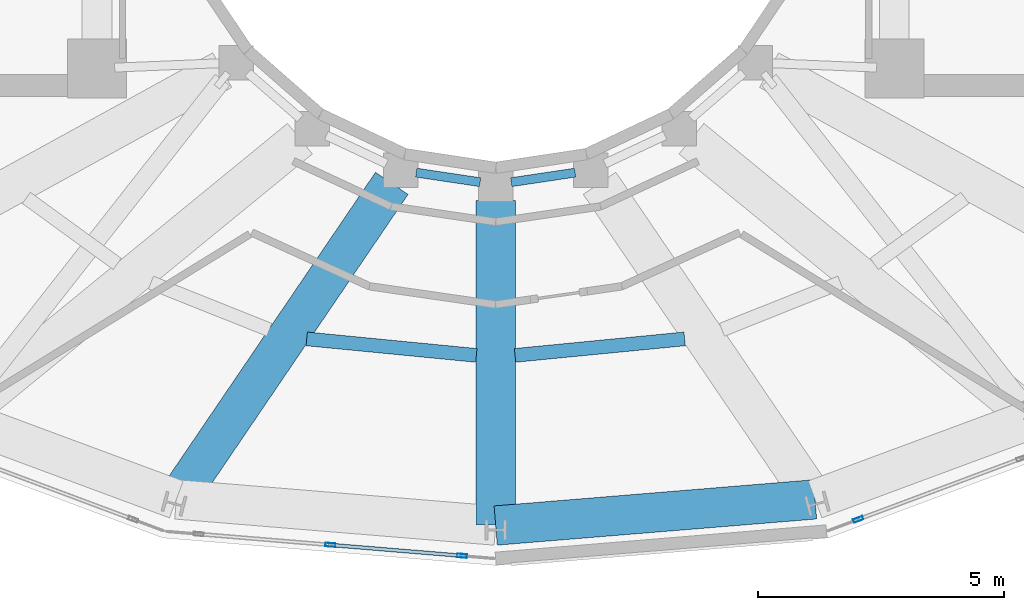
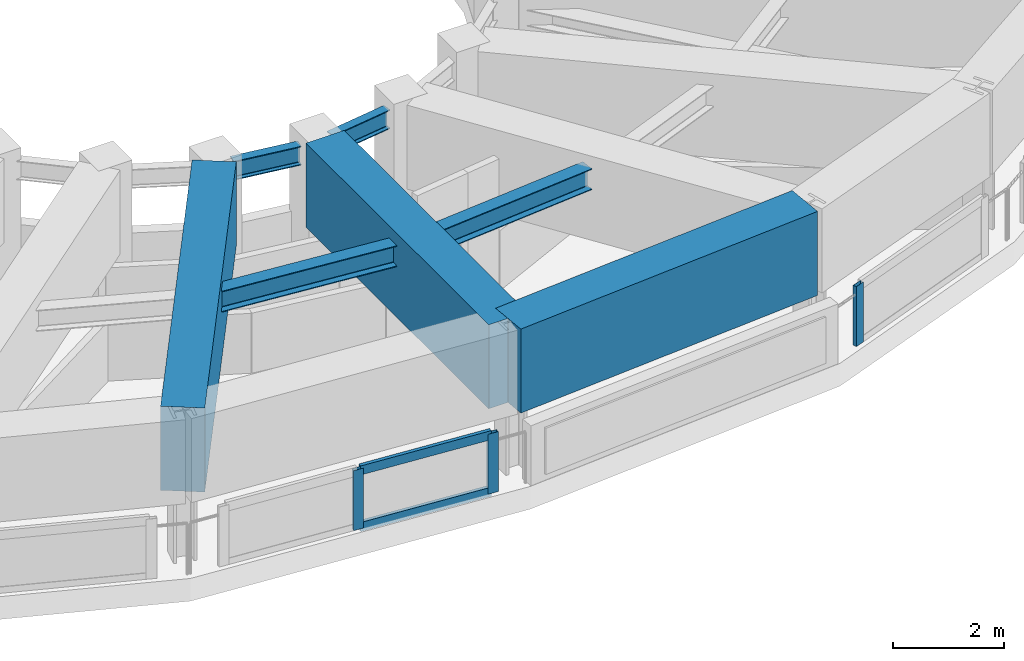
# One storey, part 5 of 21: 7 beams, 5 members, 2 elements without a shape of their own.
"""IFC4 building model written with IfcOpenShell, lengths in metres."""

from ifc_helpers import new_model, si_unit, direction, frame, origin, origin_2d, place, context, subcontext, project, spatial, rectangle, hollow_rectangle, i_section, extrude, material, layer, layer_set, material_profile, profile_set, type_object, element, aggregate, save


model = new_model("IFC4")

# Units and contexts
model_context = context("Model", 3, precision=1e-05, world=origin(), true_north=direction((0.0, 1.0)))
body_context = subcontext(model_context, "Body", "Model", "MODEL_VIEW")
ifc_project = project(units=[si_unit("LENGTHUNIT", "METRE"), si_unit("AREAUNIT", "SQUARE_METRE"), si_unit("VOLUMEUNIT", "CUBIC_METRE"), si_unit("PLANEANGLEUNIT", "RADIAN"), si_unit("MASSUNIT", "GRAM", prefix="KILO")], contexts=[model_context])

# Site, building, storey
site_placement = place(None, origin())
site = spatial("IfcSite", under=ifc_project, at=site_placement, CompositionType="ELEMENT")
building_placement = place(site_placement, origin())
building = spatial("IfcBuilding", under=site, at=building_placement, Name="Solvane Sanctuary Tower", CompositionType="ELEMENT")
storey_placement = place(building_placement, frame((0.0, 0.0, 260.39990234375)))
storey = spatial("IfcBuildingStorey", under=building, at=storey_placement, Name="L79", CompositionType="ELEMENT", Elevation=260.39990234375)

# Beams
ifc_material_1 = material(Name="Steel ASTM A992 Grade 50", Category="steel")
ifc_material_profile_1 = material_profile(ifc_material_1, i_section(OverallWidth=0.180908203125, OverallDepth=0.4169921875, WebThickness=0.010986328125, FlangeThickness=0.018310546875, FilletRadius=0.012939453125, at=origin_2d()), Name="W16X57")
ifc_profile_set_1 = profile_set([ifc_material_profile_1], Name="Steel ASTM A992 Grade 50")
beam_type_1 = type_object("IfcBeamType", Name="Beam B-ROOF-BM W16X57", PredefinedType="BEAM", material=ifc_profile_set_1)
for number, where, z_axis, x_axis, name in (
    (1, (30.3857421875, 14.781005859375, 2.7294921875), (0.989056121481, -0.147539786368, 0.0), (0.147539786368, 0.989056121481, 0.0), "L79 Inner Light-Well Ring Beam IC10-IC11"),
    (2, (32.31640625, 14.58740234375, 2.7294921875), (0.989056121481, 0.147539786368, 0.0), (-0.147539786368, 0.989056121481, 0.0), "L79 Inner Light-Well Ring Beam IC11-IC12"),
):
    element("IfcBeam", number, at=place(storey_placement, frame(where, z_axis=z_axis, x_axis=x_axis)), inside=storey, type_object=beam_type_1, Name=name, PredefinedType="BEAM", context=body_context, shape_type="SweptSolid", body=[
        extrude(i_section(OverallWidth=0.180908203125, OverallDepth=0.4169921875, WebThickness=0.010986328125, FlangeThickness=0.018310546875, FilletRadius=0.012939453125, at=origin_2d()), origin(), (0.0, 0.0, 1.0), 1.312255859375),
    ])
ifc_material_profile_2 = material_profile(ifc_material_1, i_section(OverallWidth=0.280029296875, OverallDepth=0.462890625, WebThickness=0.0107421875, FlangeThickness=0.017333984375, FilletRadius=0.013916015625, at=origin_2d()), Name="W18X76")
ifc_profile_set_2 = profile_set([ifc_material_profile_2], Name="Steel ASTM A992 Grade 50")
beam_type_2 = type_object("IfcBeamType", Name="Beam B-SEC-JOIST W18X76", PredefinedType="JOIST", material=ifc_profile_set_2)
beam_1_placement = place(storey_placement, frame((28.16064453125, 11.4033203125, 2.70654296875), z_axis=(0.995303010894, -0.096808659249, 0.0), x_axis=(0.096808659249, 0.995303010894, 0.0)))
element("IfcBeam", 3, at=beam_1_placement, inside=storey, type_object=beam_type_2, Name="L79 Secondary Circumferential Joist 10-11", PredefinedType="JOIST", context=body_context, shape_type="SweptSolid", body=[
    extrude(i_section(OverallWidth=0.280029296875, OverallDepth=0.462890625, WebThickness=0.0107421875, FlangeThickness=0.017333984375, FilletRadius=0.013916015625, at=origin_2d()), origin(), (0.0, 0.0, 1.0), 3.462646484375),
])
beam_2_placement = place(storey_placement, frame((32.39306640625, 11.068115234375, 2.70654296875), z_axis=(0.995302350021, 0.09681545353, 0.0), x_axis=(-0.09681545353, 0.995302350021, 0.0)))
element("IfcBeam", 4, at=beam_2_placement, inside=storey, type_object=beam_type_2, Name="L79 Secondary Circumferential Joist 11-12", PredefinedType="JOIST", context=body_context, shape_type="SweptSolid", body=[
    extrude(i_section(OverallWidth=0.280029296875, OverallDepth=0.462890625, WebThickness=0.0107421875, FlangeThickness=0.017333984375, FilletRadius=0.013916015625, at=origin_2d()), origin(), (0.0, 0.0, 1.0), 3.46240234375),
])
ifc_material_2 = material(Name="Concrete C70/85", Category="concrete")
ifc_material_profile_3 = material_profile(ifc_material_2, rectangle(XDim=0.800048828125, YDim=1.85009765625, at=origin_2d()), Name="RC800X1850")
ifc_profile_set_3 = profile_set([ifc_material_profile_3], Name="Concrete C70/85")
beam_type_3 = type_object("IfcBeamType", Name="Beam B-XFER-BLK RC800X1850", PredefinedType="BEAM", material=ifc_profile_set_3)
beam_3_placement = place(storey_placement, frame((29.889404296875, 14.563720703125, 2.275146484375), z_axis=(-0.562074506433, -0.827086603215, 0.0), x_axis=(0.827086603215, -0.562074506433, 0.0)))
element("IfcBeam", 5, at=beam_3_placement, inside=storey, type_object=beam_type_3, Name="L79 Block-Shift Radial Transfer Girder 10A", PredefinedType="BEAM", context=body_context, shape_type="SweptSolid", body=[
    extrude(rectangle(XDim=0.800048828125, YDim=1.85009765625, at=origin_2d()), origin(), (0.0, 0.0, 1.0), 7.769775390625),
])
beam_4_placement = place(storey_placement, frame((32.0, 14.219970703125, 2.275146484375), z_axis=(0.0, -1.0, 0.0), x_axis=(1.0, 0.0, 0.0)))
element("IfcBeam", 6, at=beam_4_placement, inside=storey, type_object=beam_type_3, Name="L79 Block-Shift Radial Transfer Girder 11A", PredefinedType="BEAM", context=body_context, shape_type="SweptSolid", body=[
    extrude(rectangle(XDim=0.800048828125, YDim=1.85009765625, at=origin_2d()), origin(), (0.0, 0.0, 1.0), 6.599853515625),
])
beam_5_placement = place(storey_placement, frame((32.0, 7.611083984375, 2.275146484375), z_axis=(0.99666217452, 0.081636449467, 0.0), x_axis=(-0.081636449467, 0.99666217452, 0.0)))
element("IfcBeam", 7, at=beam_5_placement, inside=storey, type_object=beam_type_3, Name="L79 Perimeter Step Transfer Ring NTC11-NTC12", PredefinedType="BEAM", context=body_context, shape_type="SweptSolid", body=[
    extrude(rectangle(XDim=0.800048828125, YDim=1.85009765625, at=origin_2d()), origin(), (0.0, 0.0, 1.0), 6.510498046875),
])

# Curtain wall, members
ifc_material_3 = material(Name="Anodised Aluminium 6063-T6", Category="aluminium")
ifc_layer = layer(ifc_material_3, 0.219970703125, Name="Anodised Aluminium 6063-T6")
ifc_layer_set = layer_set([ifc_layer], Name="Anodised Aluminium 6063-T6")
curtain_wall_type = type_object("IfcCurtainWallType", Name="Curtain Wall CW-CROWN", PredefinedType="NOTDEFINED", material=ifc_layer_set)
curtain_wall_1_placement = place(storey_placement, origin())
curtain_wall_1 = element("IfcCurtainWall", 8, at=curtain_wall_1_placement, inside=storey, type_object=curtain_wall_type, Name="L79 Crown Fritted Lantern Curtain Wall 17", PredefinedType="NOTDEFINED")
ifc_material_profile_4 = material_profile(ifc_material_3, hollow_rectangle(XDim=0.074951171875, YDim=0.199951171875, WallThickness=0.00390625, at=origin_2d()), Name="ALU200X75X4")
ifc_profile_set_4 = profile_set([ifc_material_profile_4], Name="Anodised Aluminium 6063-T6")
member_type_1 = type_object("IfcMemberType", Name="Member M-CW-MUL-1 ALU200X75X4", PredefinedType="MULLION", material=ifc_profile_set_4)
member_1_placement = place(storey_placement, frame((28.6396484375, 7.217529296875, 0.0), z_axis=(0.0, 0.0, 1.0), x_axis=(0.082279236206, 0.996609315273, 0.0)))
member_1 = element("IfcMember", 9, at=member_1_placement, type_object=member_type_1, Name="CW-CROWN mullion 2", PredefinedType="MULLION", context=body_context, shape_type="SweptSolid", body=[
    extrude(hollow_rectangle(XDim=0.074951171875, YDim=0.199951171875, WallThickness=0.00390625, at=origin_2d()), origin(), (0.0, 0.0, 1.0), 1.320068359375),
])
member_2_placement = place(storey_placement, frame((31.31494140625, 6.99658203125, 0.0), z_axis=(0.0, 0.0, 1.0), x_axis=(0.082279236206, 0.996609315273, 0.0)))
member_2 = element("IfcMember", 10, at=member_2_placement, type_object=member_type_1, Name="CW-CROWN mullion 3", PredefinedType="MULLION", context=body_context, shape_type="SweptSolid", body=[
    extrude(hollow_rectangle(XDim=0.074951171875, YDim=0.199951171875, WallThickness=0.00390625, at=origin_2d()), origin(), (0.0, 0.0, 1.0), 1.320068359375),
])

# Curtain wall, member
curtain_wall_2_placement = place(storey_placement, origin())
curtain_wall_2 = element("IfcCurtainWall", 11, at=curtain_wall_2_placement, inside=storey, type_object=curtain_wall_type, Name="L79 Crown Fritted Lantern Curtain Wall 19", PredefinedType="NOTDEFINED")
member_3_placement = place(storey_placement, frame((39.36474609375, 7.735595703125, 0.0), z_axis=(0.0, 0.0, 1.0), x_axis=(-0.350162997497, 0.936688782459, 0.0)))
member_3 = element("IfcMember", 12, at=member_3_placement, type_object=member_type_1, Name="CW-CROWN mullion 1", PredefinedType="MULLION", context=body_context, shape_type="SweptSolid", body=[
    extrude(hollow_rectangle(XDim=0.074951171875, YDim=0.199951171875, WallThickness=0.00390625, at=origin_2d()), origin(), (0.0, 0.0, 1.0), 1.320068359375),
])
aggregate(curtain_wall_2, [member_3])

# Member
ifc_material_profile_5 = material_profile(ifc_material_3, hollow_rectangle(XDim=0.074951171875, YDim=0.199951171875, WallThickness=0.00390625, at=origin_2d()), Name="ALU200X75X4")
ifc_profile_set_5 = profile_set([ifc_material_profile_5], Name="Anodised Aluminium 6063-T6")
member_type_2 = type_object("IfcMemberType", Name="Member M-CW-TRN-2 ALU200X75X4", PredefinedType="USERDEFINED", material=ifc_profile_set_5)
member_4_placement = place(storey_placement, frame((28.677001953125, 7.21435546875, 0.03759765625), z_axis=(0.996611905879, -0.082247851401, 0.0), x_axis=(0.082247851401, 0.996611905879, 0.0)))
member_4 = element("IfcMember", 13, at=member_4_placement, type_object=member_type_2, Name="CW-CROWN transom 2.1", ObjectType="TRANSOM", PredefinedType="USERDEFINED", context=body_context, shape_type="SweptSolid", body=[
    extrude(hollow_rectangle(XDim=0.074951171875, YDim=0.199951171875, WallThickness=0.00390625, at=origin_2d()), origin(), (0.0, 0.0, 1.0), 2.609130859375),
])

member_5_placement = place(storey_placement, frame((28.677001953125, 7.21435546875, 1.28271484375), z_axis=(0.996611905879, -0.082247851401, 0.0), x_axis=(0.082247851401, 0.996611905879, 0.0)))
member_5 = element("IfcMember", 14, at=member_5_placement, type_object=member_type_2, Name="CW-CROWN transom 2.2", ObjectType="TRANSOM", PredefinedType="USERDEFINED", context=body_context, shape_type="SweptSolid", body=[
    extrude(hollow_rectangle(XDim=0.074951171875, YDim=0.199951171875, WallThickness=0.00390625, at=origin_2d()), origin(), (0.0, 0.0, 1.0), 2.609130859375),
])

aggregate(curtain_wall_1, [member_1, member_2, member_4, member_5])

save(model, "model.ifc")
